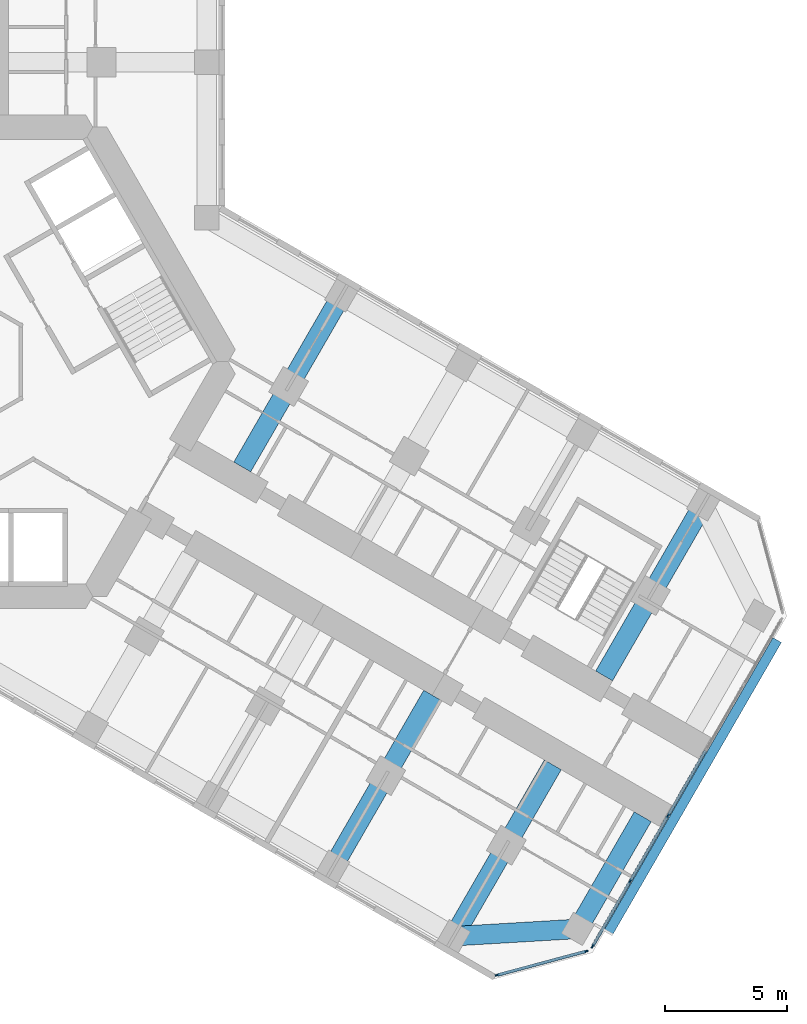
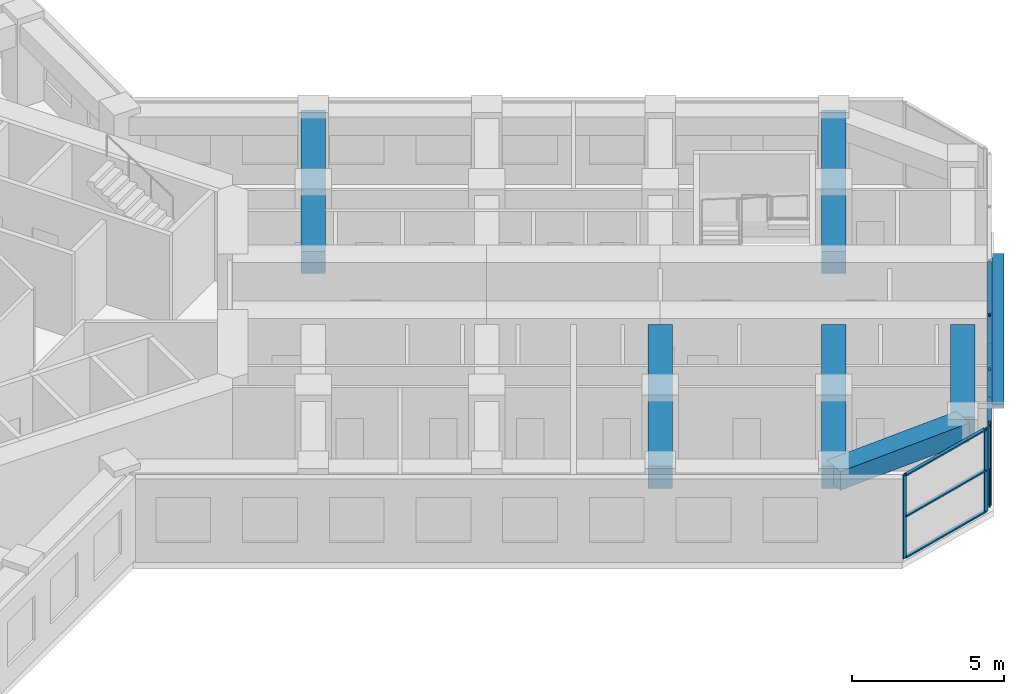
# One storey, part 5 of 21: 15 members, 6 beams, 2 elements without a shape of their own.
"""IFC4 building model written with IfcOpenShell, lengths in metres."""

from ifc_helpers import new_model, si_unit, direction, frame, origin, origin_2d, place, context, subcontext, project, spatial, rectangle, extrude, material, material_profile, profile_set, type_object, element, aggregate, save


model = new_model("IFC4")

# Units and contexts
model_context = context("Model", 3, precision=1e-05, world=origin(), true_north=direction((0.0, 1.0)))
body_context = subcontext(model_context, "Body", "Model", "MODEL_VIEW")
ifc_project = project(units=[si_unit("LENGTHUNIT", "METRE"), si_unit("AREAUNIT", "SQUARE_METRE"), si_unit("VOLUMEUNIT", "CUBIC_METRE"), si_unit("PLANEANGLEUNIT", "RADIAN"), si_unit("MASSUNIT", "GRAM", prefix="KILO")], contexts=[model_context])

# Site, building, storey
site_placement = place(None, origin())
site = spatial("IfcSite", under=ifc_project, at=site_placement, CompositionType="ELEMENT")
building_placement = place(site_placement, origin())
building = spatial("IfcBuilding", under=site, at=building_placement, Name="Kosmar Iwan School Tower", CompositionType="ELEMENT")
storey_placement = place(building_placement, frame((0.0, 0.0, 50.199951171875)))
storey = spatial("IfcBuildingStorey", under=building, at=storey_placement, Name="L11", CompositionType="ELEMENT", Elevation=50.199951171875)

# Member
ifc_material_1 = material(Name="Black anodised aluminium", Category="aluminium")
ifc_material_profile_1 = material_profile(ifc_material_1, rectangle(XDim=0.10009765625, YDim=0.39990234375, at=origin_2d()), Name="FIN 100x400")
ifc_profile_set_1 = profile_set([ifc_material_profile_1], Name="Black anodised aluminium")
member_type_1 = type_object("IfcMemberType", Name="Diagonal fin 100x400", PredefinedType="USERDEFINED", material=ifc_profile_set_1)
member_1_placement = place(storey_placement, frame((33.54345703125, -11.40087890625, -0.14990234375), z_axis=(-0.483795538458, -0.837973939202, 0.252470897702), x_axis=(0.126233699175, 0.218647221293, 0.967604488318)))
element("IfcMember", 1, at=member_1_placement, inside=storey, type_object=member_type_1, Name="Diagonal fin L11-F03", ObjectType="FIN", PredefinedType="USERDEFINED", context=body_context, shape_type="SweptSolid", body=[
    extrude(rectangle(XDim=0.10009765625, YDim=0.39990234375, at=origin_2d()), origin(), (0.0, 0.0, 1.0), 14.258544921875),
])

# Curtain wall, members
ifc_material_2 = material(Name="Dark glass in black aluminium frame", Category="aluminium")
curtain_wall_type_1 = type_object("IfcCurtainWallType", Name="Chamfer curtain wall dark glass", PredefinedType="USERDEFINED", material=ifc_material_2)
curtain_wall_1_placement = place(storey_placement, origin())
curtain_wall_1 = element("IfcCurtainWall", 2, at=curtain_wall_1_placement, inside=storey, type_object=curtain_wall_type_1, Name="Curtain wall L11-F02", ObjectType="FACETED CURTAIN WALL", PredefinedType="USERDEFINED")
ifc_material_3 = material(Name="Black anodised aluminium", Category="aluminium")
ifc_material_profile_2 = material_profile(ifc_material_3, rectangle(XDim=0.06005859375, YDim=0.159912109375, at=origin_2d()), Name="MULLION 60x160")
ifc_profile_set_2 = profile_set([ifc_material_profile_2], Name="Black anodised aluminium")
member_type_2 = type_object("IfcMemberType", Name="Mullion 60x160", PredefinedType="MULLION", material=ifc_profile_set_2)
member_2_placement = place(storey_placement, frame((22.0830078125, -25.102294921875, 0.0), z_axis=(0.0, 0.0, 1.0), x_axis=(-0.258818861462, 0.965925875495, 0.0)))
member_2 = element("IfcMember", 3, at=member_2_placement, type_object=member_type_2, Name="CW2 mullion 1", PredefinedType="MULLION", context=body_context, shape_type="SweptSolid", body=[
    extrude(rectangle(XDim=0.06005859375, YDim=0.159912109375, at=origin_2d()), origin(), (0.0, 0.0, 1.0), 3.35009765625),
])
member_3_placement = place(storey_placement, frame((25.733154296875, -24.124267578125, 0.0), z_axis=(0.0, 0.0, 1.0), x_axis=(-0.258818861462, 0.965925875495, 0.0)))
member_3 = element("IfcMember", 4, at=member_3_placement, type_object=member_type_2, Name="CW2 mullion 2", PredefinedType="MULLION", context=body_context, shape_type="SweptSolid", body=[
    extrude(rectangle(XDim=0.06005859375, YDim=0.159912109375, at=origin_2d()), origin(), (0.0, 0.0, 1.0), 3.35009765625),
])

ifc_material_4 = material(Name="Dark glass in black aluminium frame", Category="aluminium")
curtain_wall_type_2 = type_object("IfcCurtainWallType", Name="Tower curtain wall dark glass", PredefinedType="USERDEFINED", material=ifc_material_4)
curtain_wall_2_placement = place(storey_placement, origin())
curtain_wall_2 = element("IfcCurtainWall", 5, at=curtain_wall_2_placement, inside=storey, type_object=curtain_wall_type_2, Name="Curtain wall L11-F03", ObjectType="UNITISED CURTAIN WALL", PredefinedType="USERDEFINED")
member_4_placement = place(storey_placement, frame((25.9970703125, -23.921630859375, 0.0), z_axis=(0.0, 0.0, 1.0), x_axis=(-0.866025405329, 0.499999997325, 0.0)))
member_4 = element("IfcMember", 6, at=member_4_placement, type_object=member_type_2, Name="CW1 mullion 1", PredefinedType="MULLION", context=body_context, shape_type="SweptSolid", body=[
    extrude(rectangle(XDim=0.06005859375, YDim=0.159912109375, at=origin_2d()), origin(), (0.0, 0.0, 1.0), 3.35009765625),
])
member_5_placement = place(storey_placement, frame((27.53173828125, -21.263671875, 0.0), z_axis=(0.0, 0.0, 1.0), x_axis=(-0.866025405329, 0.499999997325, 0.0)))
member_5 = element("IfcMember", 7, at=member_5_placement, type_object=member_type_2, Name="CW1 mullion 2", PredefinedType="MULLION", context=body_context, shape_type="SweptSolid", body=[
    extrude(rectangle(XDim=0.06005859375, YDim=0.159912109375, at=origin_2d()), origin(), (0.0, 0.0, 1.0), 3.35009765625),
])
member_6_placement = place(storey_placement, frame((29.081298828125, -18.57958984375, 0.0), z_axis=(0.0, 0.0, 1.0), x_axis=(-0.866025405329, 0.499999997325, 0.0)))
member_6 = element("IfcMember", 8, at=member_6_placement, type_object=member_type_2, Name="CW1 mullion 3", PredefinedType="MULLION", context=body_context, shape_type="SweptSolid", body=[
    extrude(rectangle(XDim=0.06005859375, YDim=0.159912109375, at=origin_2d()), origin(), (0.0, 0.0, 1.0), 3.35009765625),
])

# Beams
ifc_material_5 = material(Name="Concrete C50/60", Category="concrete")
ifc_material_profile_3 = material_profile(ifc_material_5, rectangle(XDim=0.800048828125, YDim=0.75, at=origin_2d()), Name="RC 800x750")
ifc_profile_set_3 = profile_set([ifc_material_profile_3], Name="Concrete C50/60")
beam_type_1 = type_object("IfcBeamType", Name="RC tip beam 800x750", PredefinedType="BEAM", material=ifc_profile_set_3)
beam_1_placement = place(storey_placement, frame((20.31787109375, -23.508544921875, 2.97509765625), z_axis=(0.998260616478, 0.058955420358, 0.0), x_axis=(-0.058955420358, 0.998260616478, 0.0)))
element("IfcBeam", 9, at=beam_1_placement, inside=storey, type_object=beam_type_1, Name="Tip beam CR", PredefinedType="BEAM", context=body_context, shape_type="SweptSolid", body=[
    extrude(rectangle(XDim=0.800048828125, YDim=0.75, at=origin_2d()), origin(), (0.0, 0.0, 1.0), 5.08935546875),
])
beam_2_placement = place(storey_placement, frame((25.3984375, -23.20849609375, 2.97509765625), z_axis=(0.499993606316, 0.866029095148, 0.0), x_axis=(-0.866029095148, 0.499993606316, 0.0)))
element("IfcBeam", 10, at=beam_2_placement, inside=storey, type_object=beam_type_1, Name="Tip beam CR to corridor wall", PredefinedType="BEAM", context=body_context, shape_type="SweptSolid", body=[
    extrude(rectangle(XDim=0.800048828125, YDim=0.75, at=origin_2d()), origin(), (0.0, 0.0, 1.0), 5.2998046875),
])
ifc_material_6 = material(Name="Concrete C50/60", Category="concrete")
ifc_material_profile_4 = material_profile(ifc_material_6, rectangle(XDim=0.800048828125, YDim=0.89990234375, at=origin_2d()), Name="RC 800x900")
ifc_profile_set_4 = profile_set([ifc_material_profile_4], Name="Concrete C50/60")
beam_type_2 = type_object("IfcBeamType", Name="RC transverse beam 800x900", PredefinedType="BEAM", material=ifc_profile_set_4)
for number, where, z_axis, x_axis, name in (
    (11, (15.708740234375, 2.70849609375, 2.900146484375), (-0.499999880539, -0.866025472755, 0.0), (0.866025472755, -0.499999880539, 0.0), "Transverse beam CL1"),
    (12, (30.517822265625, -5.841552734375, 2.900146484375), (-0.499999880539, -0.866025472755, 0.0), (0.866025472755, -0.499999880539, 0.0), "Transverse beam CL4"),
    (13, (15.381591796875, -20.658447265625, 2.900146484375), (0.499977274689, 0.866038523851, 0.0), (-0.866038523851, 0.499977274689, 0.0), "Transverse beam CR3"),
    (14, (20.31787109375, -23.508544921875, 2.900146484375), (0.499999880539, 0.866025472755, 0.0), (-0.866025472755, 0.499999880539, 0.0), "Transverse beam CR4"),
):
    element("IfcBeam", number, at=place(storey_placement, frame(where, z_axis=z_axis, x_axis=x_axis)), inside=storey, type_object=beam_type_2, Name=name, PredefinedType="BEAM", context=body_context, shape_type="SweptSolid", body=[
        extrude(rectangle(XDim=0.800048828125, YDim=0.89990234375, at=origin_2d()), origin(), (0.0, 0.0, 1.0), 8.10009765625),
    ])

# Member
ifc_material_7 = material(Name="Black anodised aluminium", Category="aluminium")
ifc_material_profile_5 = material_profile(ifc_material_7, rectangle(XDim=0.1201171875, YDim=0.06005859375, at=origin_2d()), Name="TRANSOM 60x120")
ifc_profile_set_5 = profile_set([ifc_material_profile_5], Name="Black anodised aluminium")
member_type_3 = type_object("IfcMemberType", Name="Transom 60x120", PredefinedType="USERDEFINED", material=ifc_profile_set_5)
member_7_placement = place(storey_placement, frame((22.11181640625, -25.094482421875, 0.030029296875), z_axis=(0.965923731726, 0.258826861991, 0.0), x_axis=(-0.258826861991, 0.965923731726, 0.0)))
member_7 = element("IfcMember", 15, at=member_7_placement, type_object=member_type_3, Name="CW2 transom 1.1", ObjectType="TRANSOM", PredefinedType="USERDEFINED", context=body_context, shape_type="SweptSolid", body=[
    extrude(rectangle(XDim=0.1201171875, YDim=0.06005859375, at=origin_2d()), origin(), (0.0, 0.0, 1.0), 3.71923828125),
])

member_8_placement = place(storey_placement, frame((22.11181640625, -25.094482421875, 1.675048828125), z_axis=(0.965923731726, 0.258826861991, 0.0), x_axis=(-0.258826861991, 0.965923731726, 0.0)))
member_8 = element("IfcMember", 16, at=member_8_placement, type_object=member_type_3, Name="CW2 transom 1.2", ObjectType="TRANSOM", PredefinedType="USERDEFINED", context=body_context, shape_type="SweptSolid", body=[
    extrude(rectangle(XDim=0.1201171875, YDim=0.06005859375, at=origin_2d()), origin(), (0.0, 0.0, 1.0), 3.71923828125),
])

member_9_placement = place(storey_placement, frame((22.11181640625, -25.094482421875, 3.320068359375), z_axis=(0.965923731726, 0.258826861991, 0.0), x_axis=(-0.258826861991, 0.965923731726, 0.0)))
member_9 = element("IfcMember", 17, at=member_9_placement, type_object=member_type_3, Name="CW2 transom 1.3", ObjectType="TRANSOM", PredefinedType="USERDEFINED", context=body_context, shape_type="SweptSolid", body=[
    extrude(rectangle(XDim=0.1201171875, YDim=0.06005859375, at=origin_2d()), origin(), (0.0, 0.0, 1.0), 3.71923828125),
])

aggregate(curtain_wall_1, [member_2, member_3, member_7, member_8, member_9])

member_10_placement = place(storey_placement, frame((26.01220703125, -23.895751953125, 0.030029296875), z_axis=(0.499986971506, 0.866032925658, 0.0), x_axis=(-0.866032925658, 0.499986971506, 0.0)))
member_10 = element("IfcMember", 18, at=member_10_placement, type_object=member_type_3, Name="CW1 transom 1.1", ObjectType="TRANSOM", PredefinedType="USERDEFINED", context=body_context, shape_type="SweptSolid", body=[
    extrude(rectangle(XDim=0.1201171875, YDim=0.06005859375, at=origin_2d()), origin(), (0.0, 0.0, 1.0), 3.00927734375),
])

member_11_placement = place(storey_placement, frame((26.01220703125, -23.895751953125, 3.320068359375), z_axis=(0.499986971506, 0.866032925658, 0.0), x_axis=(-0.866032925658, 0.499986971506, 0.0)))
member_11 = element("IfcMember", 19, at=member_11_placement, type_object=member_type_3, Name="CW1 transom 1.2", ObjectType="TRANSOM", PredefinedType="USERDEFINED", context=body_context, shape_type="SweptSolid", body=[
    extrude(rectangle(XDim=0.1201171875, YDim=0.06005859375, at=origin_2d()), origin(), (0.0, 0.0, 1.0), 3.00927734375),
])

member_12_placement = place(storey_placement, frame((27.546875, -21.237548828125, 0.030029296875), z_axis=(0.499975102327, 0.866039777986, 0.0), x_axis=(-0.866039777986, 0.499975102327, 0.0)))
member_12 = element("IfcMember", 20, at=member_12_placement, type_object=member_type_3, Name="CW1 transom 2.1", ObjectType="TRANSOM", PredefinedType="USERDEFINED", context=body_context, shape_type="SweptSolid", body=[
    extrude(rectangle(XDim=0.1201171875, YDim=0.06005859375, at=origin_2d()), origin(), (0.0, 0.0, 1.0), 3.039306640625),
])

member_13_placement = place(storey_placement, frame((27.546875, -21.237548828125, 3.320068359375), z_axis=(0.499975102327, 0.866039777986, 0.0), x_axis=(-0.866039777986, 0.499975102327, 0.0)))
member_13 = element("IfcMember", 21, at=member_13_placement, type_object=member_type_3, Name="CW1 transom 2.2", ObjectType="TRANSOM", PredefinedType="USERDEFINED", context=body_context, shape_type="SweptSolid", body=[
    extrude(rectangle(XDim=0.1201171875, YDim=0.06005859375, at=origin_2d()), origin(), (0.0, 0.0, 1.0), 3.039306640625),
])

member_14_placement = place(storey_placement, frame((29.096435546875, -18.553466796875, 0.030029296875), z_axis=(0.499975102327, 0.866039777986, 0.0), x_axis=(-0.866039777986, 0.499975102327, 0.0)))
member_14 = element("IfcMember", 22, at=member_14_placement, type_object=member_type_3, Name="CW1 transom 3.1", ObjectType="TRANSOM", PredefinedType="USERDEFINED", context=body_context, shape_type="SweptSolid", body=[
    extrude(rectangle(XDim=0.1201171875, YDim=0.06005859375, at=origin_2d()), origin(), (0.0, 0.0, 1.0), 3.039306640625),
])

member_15_placement = place(storey_placement, frame((29.096435546875, -18.553466796875, 3.320068359375), z_axis=(0.499975102327, 0.866039777986, 0.0), x_axis=(-0.866039777986, 0.499975102327, 0.0)))
member_15 = element("IfcMember", 23, at=member_15_placement, type_object=member_type_3, Name="CW1 transom 3.2", ObjectType="TRANSOM", PredefinedType="USERDEFINED", context=body_context, shape_type="SweptSolid", body=[
    extrude(rectangle(XDim=0.1201171875, YDim=0.06005859375, at=origin_2d()), origin(), (0.0, 0.0, 1.0), 3.039306640625),
])

aggregate(curtain_wall_2, [member_4, member_5, member_6, member_10, member_11, member_12, member_13, member_14, member_15])

save(model, "model.ifc")
